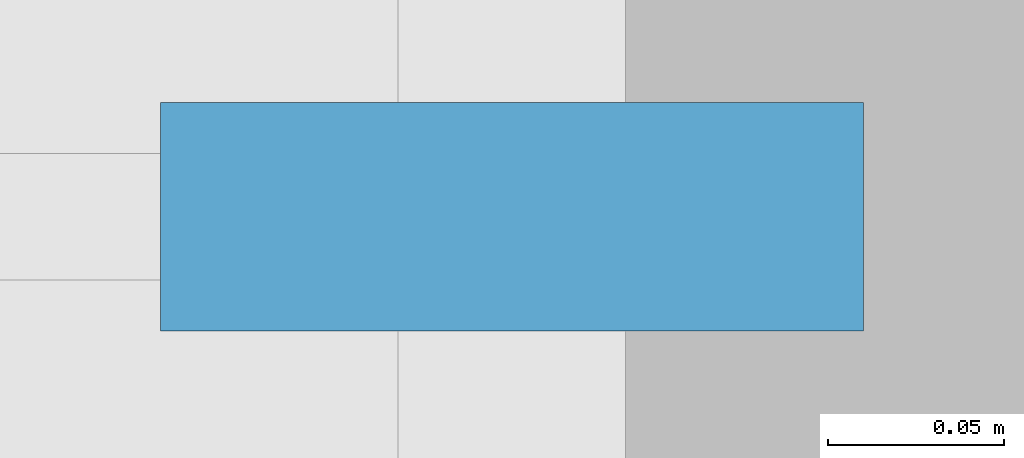
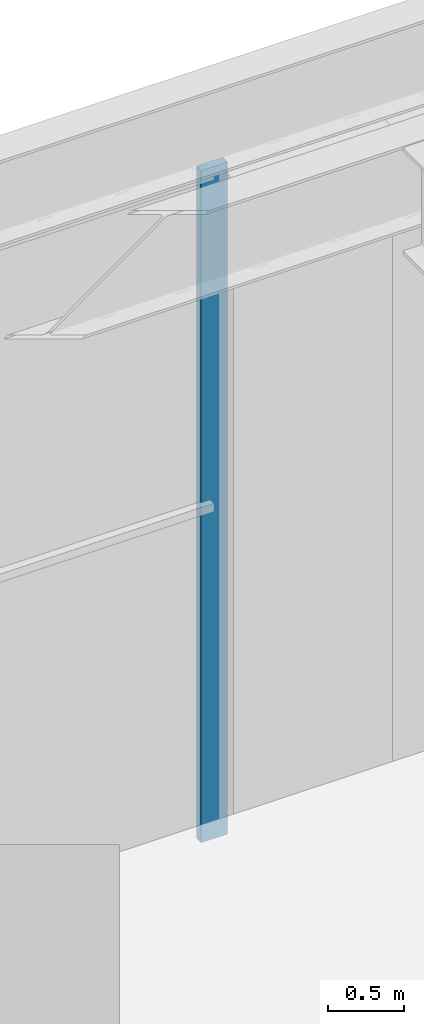
# One storey, part 14 of 40: 1 member, 1 element without a shape of its own.
"""IFC4 building model written with IfcOpenShell, lengths in metres."""

from ifc_helpers import new_model, si_unit, direction, frame, origin, origin_2d, place, context, subcontext, project, spatial, rectangle, extrude, material, material_profile, profile_set, type_object, element, aggregate, save


model = new_model("IFC4")

# Units and contexts
model_context = context("Model", 3, precision=1e-05, world=origin(), true_north=direction((0.0, 1.0)))
body_context = subcontext(model_context, "Body", "Model", "MODEL_VIEW")
ifc_project = project(units=[si_unit("LENGTHUNIT", "METRE"), si_unit("AREAUNIT", "SQUARE_METRE"), si_unit("VOLUMEUNIT", "CUBIC_METRE"), si_unit("PLANEANGLEUNIT", "RADIAN"), si_unit("MASSUNIT", "GRAM", prefix="KILO")], contexts=[model_context])

# Site, building, storey
site_placement = place(None, origin())
site = spatial("IfcSite", under=ifc_project, at=site_placement, CompositionType="ELEMENT")
building_placement = place(site_placement, origin())
building = spatial("IfcBuilding", under=site, at=building_placement, Name="Aloe Facet Convention Tower", CompositionType="ELEMENT")
storey_placement = place(building_placement, frame((0.0, 0.0, 13.5)))
storey = spatial("IfcBuildingStorey", under=building, at=storey_placement, Name="L02", CompositionType="ELEMENT", Elevation=13.5)

# Curtain wall, member
ifc_material_1 = material(Name="Aluminium, anodised", Category="aluminium")
curtain_wall_type = type_object("IfcCurtainWallType", Name="EV-CW-HALL", PredefinedType="USERDEFINED", material=ifc_material_1)
curtain_wall_placement = place(storey_placement, origin())
curtain_wall = element("IfcCurtainWall", 1, at=curtain_wall_placement, inside=storey, type_object=curtain_wall_type, Name="CW-L02-N16-1", ObjectType="UNITISED HALL GLAZING", PredefinedType="USERDEFINED")
ifc_material_2 = material(Name="Aluminium, anodised", Category="aluminium")
ifc_material_profile = material_profile(ifc_material_2, rectangle(XDim=0.06494140625, YDim=0.199951171875, at=origin_2d()), Name="AL 65x200")
ifc_profile_set = profile_set([ifc_material_profile], Name="Aluminium, anodised")
member_type = type_object("IfcMemberType", Name="EV-MULL-HALL", PredefinedType="MULLION", material=ifc_profile_set)
member_placement = place(storey_placement, frame((61.169921875, 134.77490234375, -0.300048828125), z_axis=(0.0, 0.0, 1.0), x_axis=(0.0, -1.0, 0.0)))
member = element("IfcMember", 2, at=member_placement, type_object=member_type, Name="CW-L02-N16-1 mullion 1", PredefinedType="MULLION", context=body_context, shape_type="SweptSolid", body=[
    extrude(rectangle(XDim=0.06494140625, YDim=0.199951171875, at=origin_2d()), origin(), (0.0, 0.0, 1.0), 5.362548828125),
])
aggregate(curtain_wall, [member])

save(model, "model.ifc")
